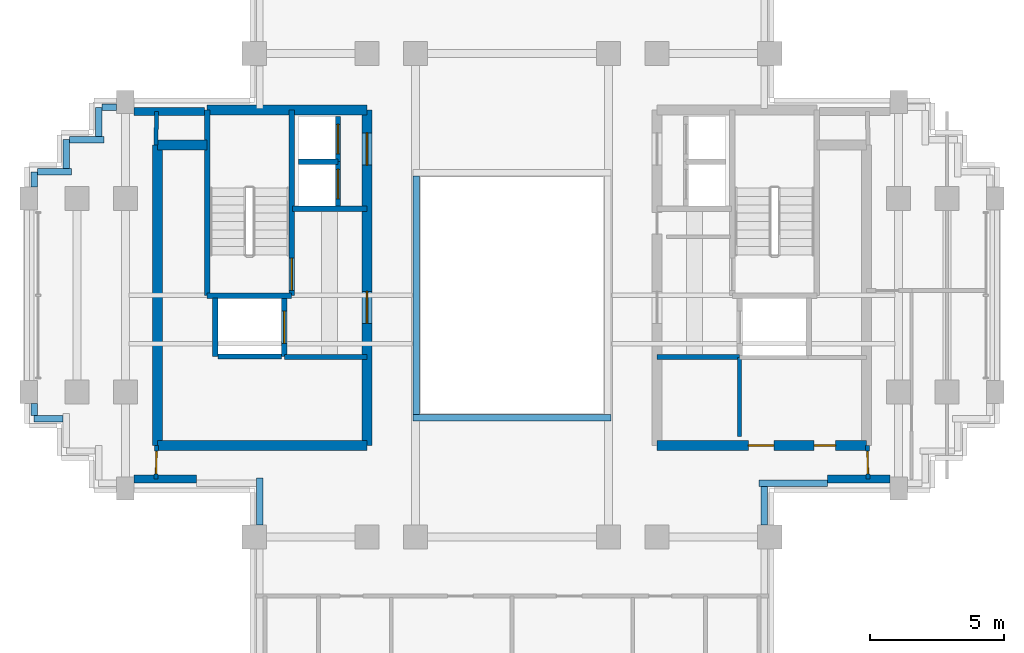
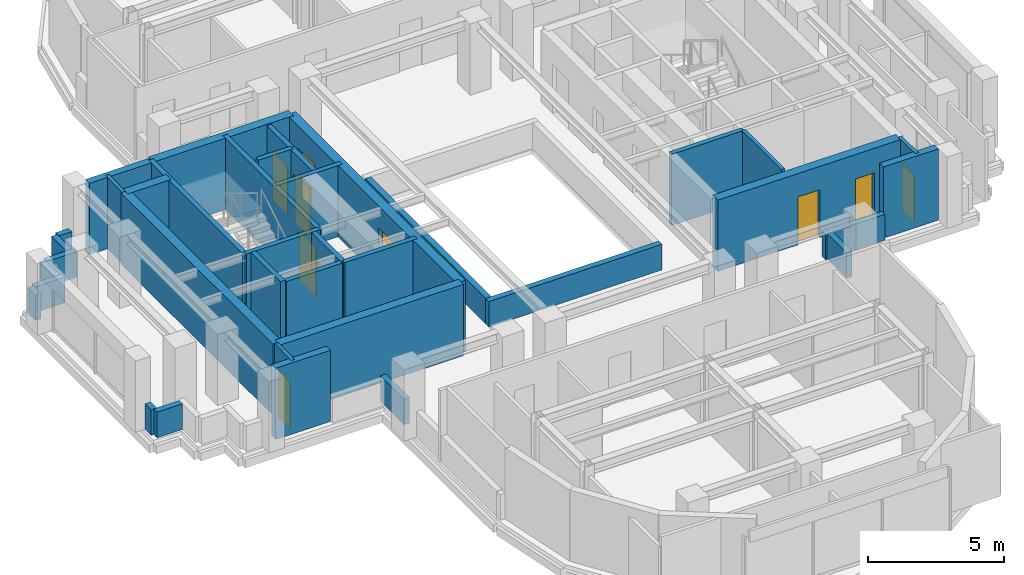
# One storey, part 6 of 11: 38 walls, 10 doors, 10 openings.
"""IFC4 building model written with IfcOpenShell, lengths in metres."""

from ifc_helpers import new_model, si_unit, direction, frame, frame_2d, origin, place, context, subcontext, project, spatial, rectangle, extrude, source, transform, mapped, material, layer, layer_set, type_object, element, fill, save


model = new_model("IFC4")

# Units and contexts
model_context = context("Model", 3, precision=1e-05, world=origin(), true_north=direction((0.0, 1.0)))
body_context = subcontext(model_context, "Body", "Model", "MODEL_VIEW")
ifc_project = project(units=[si_unit("LENGTHUNIT", "METRE"), si_unit("AREAUNIT", "SQUARE_METRE"), si_unit("VOLUMEUNIT", "CUBIC_METRE"), si_unit("PLANEANGLEUNIT", "RADIAN"), si_unit("MASSUNIT", "GRAM", prefix="KILO")], contexts=[model_context])

# Site, building, storey
site_placement = place(None, origin())
site = spatial("IfcSite", under=ifc_project, at=site_placement, CompositionType="ELEMENT")
building_placement = place(site_placement, origin())
building = spatial("IfcBuilding", under=site, at=building_placement, Name="Keilestroom Media Tower", CompositionType="ELEMENT")
storey_placement = place(building_placement, frame((0.0, 0.0, 201.199951171875)))
storey = spatial("IfcBuildingStorey", under=building, at=storey_placement, Name="L55", CompositionType="ELEMENT", Elevation=201.199951171875)

# Walls
ifc_material_1 = material(Name="Precast concrete C40/50", Category="concrete")
ifc_layer_1 = layer(ifc_material_1, 0.300048828125)
ifc_layer_set_1 = layer_set([ifc_layer_1], Name="Precast concrete C40/50")
wall_type_1 = type_object("IfcWallType", Name="Exterior-Masonry-Spandrel-Wall-300", PredefinedType="SOLIDWALL", material=ifc_layer_set_1)
wall_1_placement = place(storey_placement, frame((-14.0830078125, 6.85009765625, 0.0), z_axis=(0.0, 0.0, 1.0), x_axis=(1.0, 0.0, 0.0)))
element("IfcWall", 1, at=wall_1_placement, inside=storey, type_object=wall_type_1, Name="L55 Flank Masonry Wall EWL-L55-NW-1", PredefinedType="SOLIDWALL", context=body_context, shape_type="SweptSolid", body=[
    extrude(rectangle(XDim=2.635009765625, YDim=0.300048828125, at=frame_2d((1.3173828125, 0.0))), origin(), (0.0, 0.0, 1.0), 3.199951171875),
])
for number, where, z_axis, x_axis, name in (
    (2, (-14.0830078125, -6.85009765625, 0.0), (0.0, 0.0, 1.0), (1.0, 0.0, 0.0), "L55 Flank Masonry Wall EWL-L55-SW-1"),
    (3, (11.75, -6.85009765625, 0.0), (0.0, 0.0, 1.0), (1.0, 0.0, 0.0), "L55 Flank Masonry Wall EWL-L55-SE-1"),
):
    element("IfcWall", number, at=place(storey_placement, frame(where, z_axis=z_axis, x_axis=x_axis)), inside=storey, type_object=wall_type_1, Name=name, PredefinedType="SOLIDWALL", context=body_context, shape_type="SweptSolid", body=[
        extrude(rectangle(XDim=2.3330078125, YDim=0.300048828125, at=frame_2d((1.16650390625, 0.0))), origin(), (0.0, 0.0, 1.0), 3.199951171875),
    ])
ifc_material_2 = material(Name="Gypsum Plasterboard & Steel Stud", Category="steel")
ifc_layer_2 = layer(ifc_material_2, 0.14990234375)
ifc_layer_set_2 = layer_set([ifc_layer_2], Name="Gypsum Plasterboard & Steel Stud")
wall_type_2 = type_object("IfcWallType", Name="Interior-Partition-Wall-150", PredefinedType="PARTITIONING", material=ifc_layer_set_2)
wall_2_placement = place(storey_placement, frame((8.47998046875, -5.260009765625, 0.0), z_axis=(0.0, 0.0, 1.0), x_axis=(0.0, 1.0, 0.0)))
element("IfcWall", 4, at=wall_2_placement, inside=storey, type_object=wall_type_2, Name="L55 Interior Wall WP-L55-RECME-W", PredefinedType="PARTITIONING", context=body_context, shape_type="SweptSolid", body=[
    extrude(rectangle(XDim=2.93994140625, YDim=0.14990234375, at=frame_2d((1.469970703125, 0.0))), origin(), (0.0, 0.0, 1.0), 3.199951171875),
])
wall_3_placement = place(storey_placement, frame((-13.260009765625, 5.60009765625, 0.0), z_axis=(0.0, 0.0, 1.0), x_axis=(0.016013571389, 0.999871774545, 0.0)))
element("IfcWall", 5, at=wall_3_placement, inside=storey, type_object=wall_type_2, Name="L55 Interior Wall WP-L55-HDINE-ENTN", PredefinedType="PARTITIONING", context=body_context, shape_type="SweptSolid", body=[
    extrude(rectangle(XDim=1.250244140625, YDim=0.14990234375, at=frame_2d((0.625, 0.0))), origin(), (0.0, 0.0, 1.0), 3.199951171875),
])

# Wall, opening, door
wall_4_placement = place(storey_placement, frame((-13.260009765625, -6.85009765625, 0.0), z_axis=(0.0, 0.0, 1.0), x_axis=(0.016013571389, 0.999871774545, 0.0)))
wall_4 = element("IfcWall", 6, at=wall_4_placement, inside=storey, type_object=wall_type_2, Name="L55 Interior Wall WP-L55-HDINE-ENTS", PredefinedType="PARTITIONING", context=body_context, shape_type="SweptSolid", body=[
    extrude(rectangle(XDim=1.250244140625, YDim=0.14990234375, at=frame_2d((0.625, 0.0))), origin(), (0.0, 0.0, 1.0), 3.199951171875),
])
opening_1_placement = place(wall_4_placement, frame((0.199951171875, 0.0, 0.0)))
opening_1 = element("IfcOpeningElement", 7, at=opening_1_placement, cuts=wall_4, Name="Opening DI-05", PredefinedType="OPENING", context=body_context, shape_type="SweptSolid", body=[
    extrude(rectangle(XDim=0.85009765625, YDim=2.10009765625, at=frame_2d((0.425048828125, 1.050048828125))), frame((0.0, 0.0849609375, 0.0), z_axis=(0.0, -1.0, 0.0), x_axis=(1.0, 0.0, 0.0)), (0.0, 0.0, 1.0), 0.169921875),
])
ifc_material_3 = material(Name="Moisture-Resistant Oak Leaf", Category="wood")
door_type_1 = type_object("IfcDoorType", Name="Interior-En-Suite-And-Cupboard-Door-DI-05", OperationType="NOTDEFINED", PredefinedType="DOOR", material=ifc_material_3)
shared_shape_1 = source(origin(), body_context, "Body", "SweptSolid", [
    extrude(rectangle(XDim=0.85009765625, YDim=2.10009765625, at=frame_2d((0.425048828125, 1.050048828125))), frame((0.0, 0.02490234375, 0.0), z_axis=(0.0, -1.0, 0.0), x_axis=(1.0, 0.0, 0.0)), (0.0, 0.0, 1.0), 0.050048828125),
])
door_1_placement = place(opening_1_placement, origin())
door_1 = element("IfcDoor", 8, at=door_1_placement, inside=storey, type_object=door_type_1, Name="L55 Interior Door DI-L55-DDINE-W", OperationType="SINGLE_SWING_LEFT", OverallHeight=2.10009765625, OverallWidth=0.85009765625, PredefinedType="DOOR", context=body_context, shape_type="MappedRepresentation", body=[
    mapped(shared_shape_1, transform((0.0, 0.0, 0.0), x_axis=(1.0, 0.0, 0.0), y_axis=(0.0, 1.0, 0.0), z_axis=(0.0, 0.0, 1.0), scale=1.0)),
])
fill(opening_1, door_1)

wall_5_placement = place(storey_placement, frame((13.260009765625, -6.85009765625, 0.0), z_axis=(0.0, 0.0, 1.0), x_axis=(-0.016013571389, 0.999871774545, 0.0)))
wall_5 = element("IfcWall", 9, at=wall_5_placement, inside=storey, type_object=wall_type_2, Name="L55 Interior Wall WP-L55-HGYM-ENTS", PredefinedType="PARTITIONING", context=body_context, shape_type="SweptSolid", body=[
    extrude(rectangle(XDim=1.250244140625, YDim=0.14990234375, at=frame_2d((0.625, 0.0))), origin(), (0.0, 0.0, 1.0), 3.199951171875),
])
opening_2_placement = place(wall_5_placement, frame((0.199951171875, 0.0, 0.0)))
opening_2 = element("IfcOpeningElement", 10, at=opening_2_placement, cuts=wall_5, Name="Opening DI-05", PredefinedType="OPENING", context=body_context, shape_type="SweptSolid", body=[
    extrude(rectangle(XDim=0.85009765625, YDim=2.10009765625, at=frame_2d((0.425048828125, 1.050048828125))), frame((0.0, 0.0849609375, 0.0), z_axis=(0.0, -1.0, 0.0), x_axis=(1.0, 0.0, 0.0)), (0.0, 0.0, 1.0), 0.169921875),
])
door_2_placement = place(opening_2_placement, origin())
door_2 = element("IfcDoor", 11, at=door_2_placement, inside=storey, type_object=door_type_1, Name="L55 Interior Door DI-L55-DHGYM-ENTS", OperationType="SINGLE_SWING_RIGHT", OverallHeight=2.10009765625, OverallWidth=0.85009765625, PredefinedType="DOOR", context=body_context, shape_type="MappedRepresentation", body=[
    mapped(shared_shape_1, transform((0.0, 0.0, 0.0), x_axis=(1.0, 0.0, 0.0), y_axis=(0.0, 1.0, 0.0), z_axis=(0.0, 0.0, 1.0), scale=1.0)),
])
fill(opening_2, door_2)

# Wall
ifc_material_4 = material(Name="Concrete C55/67", Category="concrete")
ifc_layer_3 = layer(ifc_material_4, 0.3798828125)
ifc_layer_set_3 = layer_set([ifc_layer_3], Name="Concrete C55/67")
wall_type_3 = type_object("IfcWallType", Name="Reinforced-Concrete-Core-Shear-Wall-380", PredefinedType="SHEAR", material=ifc_layer_set_3)
wall_6_placement = place(storey_placement, frame((-13.199951171875, -5.60009765625, 0.0), z_axis=(0.0, 0.0, 1.0), x_axis=(0.0, 1.0, 0.0)))
element("IfcWall", 12, at=wall_6_placement, inside=storey, type_object=wall_type_3, Name="L55 Core Shear Wall WL-L55-CORE-W-OUT", PredefinedType="SHEAR", context=body_context, shape_type="SweptSolid", body=[
    extrude(rectangle(XDim=11.2001953125, YDim=0.3798828125, at=frame_2d((5.60009765625, 0.0))), origin(), (0.0, 0.0, 1.0), 3.199951171875),
])

# Wall, openings, doors
wall_7_placement = place(storey_placement, frame((-5.39990234375, -5.60009765625, 0.0), z_axis=(0.0, 0.0, 1.0), x_axis=(0.0, 1.0, 0.0)))
wall_7 = element("IfcWall", 13, at=wall_7_placement, inside=storey, type_object=wall_type_3, Name="L55 Core Shear Wall WL-L55-CORE-W-IN", PredefinedType="SHEAR", context=body_context, shape_type="SweptSolid", body=[
    extrude(rectangle(XDim=12.5, YDim=0.3798828125, at=frame_2d((6.25, 0.0))), origin(), (0.0, 0.0, 1.0), 3.199951171875),
])
opening_3_placement = place(wall_7_placement, frame((4.550048828125, 0.0, 0.0)))
opening_3 = element("IfcOpeningElement", 14, at=opening_3_placement, cuts=wall_7, Name="Opening DI-02", PredefinedType="OPENING", context=body_context, shape_type="SweptSolid", body=[
    extrude(rectangle(XDim=1.199951171875, YDim=2.199951171875, at=frame_2d((0.60009765625, 1.10009765625))), frame((0.0, 0.199951171875, 0.0), z_axis=(0.0, -1.0, 0.0), x_axis=(1.0, 0.0, 0.0)), (0.0, 0.0, 1.0), 0.39990234375),
])
opening_4_placement = place(wall_7_placement, frame((10.449951171875, 0.0, 0.0)))
opening_4 = element("IfcOpeningElement", 15, at=opening_4_placement, cuts=wall_7, Name="Opening DI-02", PredefinedType="OPENING", context=body_context, shape_type="SweptSolid", body=[
    extrude(rectangle(XDim=1.199951171875, YDim=2.199951171875, at=frame_2d((0.60009765625, 1.10009765625))), frame((0.0, 0.199951171875, 0.0), z_axis=(0.0, -1.0, 0.0), x_axis=(1.0, 0.0, 0.0)), (0.0, 0.0, 1.0), 0.39990234375),
])
ifc_material_5 = material(Name="Powder-Coated Steel Fire Leaf", Category="steel")
door_type_2 = type_object("IfcDoorType", Name="Interior-Compartment-Fire-Door-DI-02", OperationType="NOTDEFINED", PredefinedType="DOOR", material=ifc_material_5)
shared_shape_2 = source(origin(), body_context, "Body", "SweptSolid", [
    extrude(rectangle(XDim=1.199951171875, YDim=2.199951171875, at=frame_2d((0.60009765625, 1.10009765625))), frame((0.0, 0.02490234375, 0.0), z_axis=(0.0, -1.0, 0.0), x_axis=(1.0, 0.0, 0.0)), (0.0, 0.0, 1.0), 0.050048828125),
])
door_3_placement = place(opening_3_placement, origin())
door_3 = element("IfcDoor", 16, at=door_3_placement, inside=storey, type_object=door_type_2, Name="L55 W Firefighting Lobby Door", OperationType="SINGLE_SWING_RIGHT", OverallHeight=2.199951171875, OverallWidth=1.199951171875, PredefinedType="DOOR", context=body_context, shape_type="MappedRepresentation", body=[
    mapped(shared_shape_2, transform((0.0, 0.0, 0.0), x_axis=(1.0, 0.0, 0.0), y_axis=(0.0, 1.0, 0.0), z_axis=(0.0, 0.0, 1.0), scale=1.0)),
])
fill(opening_3, door_3)
door_4_placement = place(opening_4_placement, origin())
door_4 = element("IfcDoor", 17, at=door_4_placement, inside=storey, type_object=door_type_2, Name="L55 W High-Rise Lift Lobby Door", OperationType="SINGLE_SWING_LEFT", OverallHeight=2.199951171875, OverallWidth=1.199951171875, PredefinedType="DOOR", context=body_context, shape_type="MappedRepresentation", body=[
    mapped(shared_shape_2, transform((0.0, 0.0, 0.0), x_axis=(1.0, 0.0, 0.0), y_axis=(0.0, 1.0, 0.0), z_axis=(0.0, 0.0, 1.0), scale=1.0)),
])
fill(opening_4, door_4)

# Walls
wall_8_placement = place(storey_placement, frame((-11.35595703125, 6.89990234375, 0.0), z_axis=(0.0, 0.0, 1.0), x_axis=(1.0, 0.0, 0.0)))
element("IfcWall", 18, at=wall_8_placement, inside=storey, type_object=wall_type_3, Name="L55 Core Shear Wall WL-L55-CORE-W-N", PredefinedType="SHEAR", context=body_context, shape_type="SweptSolid", body=[
    extrude(rectangle(XDim=5.9560546875, YDim=0.3798828125, at=frame_2d((2.97802734375, 0.0))), origin(), (0.0, 0.0, 1.0), 3.199951171875),
])
wall_9_placement = place(storey_placement, frame((-13.199951171875, 5.60009765625, 0.0), z_axis=(0.0, 0.0, 1.0), x_axis=(1.0, 0.0, 0.0)))
element("IfcWall", 19, at=wall_9_placement, inside=storey, type_object=wall_type_3, Name="L55 Core Shear Wall WL-L55-CNW-N", PredefinedType="SHEAR", context=body_context, shape_type="SweptSolid", body=[
    extrude(rectangle(XDim=1.843994140625, YDim=0.3798828125, at=frame_2d((0.921875, 0.0))), origin(), (0.0, 0.0, 1.0), 3.199951171875),
])
wall_10_placement = place(storey_placement, frame((-13.199951171875, -5.60009765625, 0.0), z_axis=(0.0, 0.0, 1.0), x_axis=(1.0, 0.0, 0.0)))
element("IfcWall", 20, at=wall_10_placement, inside=storey, type_object=wall_type_3, Name="L55 Core Shear Wall WL-L55-CORE-W-S", PredefinedType="SHEAR", context=body_context, shape_type="SweptSolid", body=[
    extrude(rectangle(XDim=7.800048828125, YDim=0.3798828125, at=frame_2d((3.89990234375, 0.0))), origin(), (0.0, 0.0, 1.0), 3.199951171875),
])

# Wall, openings, doors
wall_11_placement = place(storey_placement, frame((5.39990234375, -5.60009765625, 0.0), z_axis=(0.0, 0.0, 1.0), x_axis=(1.0, 0.0, 0.0)))
wall_11 = element("IfcWall", 21, at=wall_11_placement, inside=storey, type_object=wall_type_3, Name="L55 Core Shear Wall WL-L55-CORE-E-S", PredefinedType="SHEAR", context=body_context, shape_type="SweptSolid", body=[
    extrude(rectangle(XDim=7.800048828125, YDim=0.3798828125, at=frame_2d((3.89990234375, 0.0))), origin(), (0.0, 0.0, 1.0), 3.199951171875),
])
opening_5_placement = place(wall_11_placement, frame((5.85009765625, 0.0, 0.0)))
opening_5 = element("IfcOpeningElement", 22, at=opening_5_placement, cuts=wall_11, Name="Opening DI-06", PredefinedType="OPENING", context=body_context, shape_type="SweptSolid", body=[
    extrude(rectangle(XDim=0.800048828125, YDim=2.10009765625, at=frame_2d((0.39990234375, 1.050048828125))), frame((0.0, 0.199951171875, 0.0), z_axis=(0.0, -1.0, 0.0), x_axis=(1.0, 0.0, 0.0)), (0.0, 0.0, 1.0), 0.39990234375),
])
opening_6_placement = place(wall_11_placement, frame((3.39990234375, 0.0, 0.0)))
opening_6 = element("IfcOpeningElement", 23, at=opening_6_placement, cuts=wall_11, Name="Opening DI-03", PredefinedType="OPENING", context=body_context, shape_type="SweptSolid", body=[
    extrude(rectangle(XDim=0.949951171875, YDim=2.14990234375, at=frame_2d((0.47509765625, 1.074951171875))), frame((0.0, 0.199951171875, 0.0), z_axis=(0.0, -1.0, 0.0), x_axis=(1.0, 0.0, 0.0)), (0.0, 0.0, 1.0), 0.39990234375),
])
ifc_material_6 = material(Name="Powder-Coated Steel Service Leaf", Category="steel")
door_type_3 = type_object("IfcDoorType", Name="Interior-Riser-Access-Door-DI-06", OperationType="NOTDEFINED", PredefinedType="DOOR", material=ifc_material_6)
shared_shape_3 = source(origin(), body_context, "Body", "SweptSolid", [
    extrude(rectangle(XDim=0.800048828125, YDim=2.10009765625, at=frame_2d((0.39990234375, 1.050048828125))), frame((0.0, 0.02490234375, 0.0), z_axis=(0.0, -1.0, 0.0), x_axis=(1.0, 0.0, 0.0)), (0.0, 0.0, 1.0), 0.050048828125),
])
door_5_placement = place(opening_5_placement, origin())
door_5 = element("IfcDoor", 24, at=door_5_placement, inside=storey, type_object=door_type_3, Name="L55 Reclaimed East Core Room Door", OperationType="SINGLE_SWING_RIGHT", OverallHeight=2.10009765625, OverallWidth=0.800048828125, PredefinedType="DOOR", context=body_context, shape_type="MappedRepresentation", body=[
    mapped(shared_shape_3, transform((0.0, 0.0, 0.0), x_axis=(1.0, 0.0, 0.0), y_axis=(0.0, 1.0, 0.0), z_axis=(0.0, 0.0, 1.0), scale=1.0)),
])
fill(opening_5, door_5)
ifc_material_7 = material(Name="Lacquered European Oak Leaf", Category="wood")
door_type_4 = type_object("IfcDoorType", Name="Interior-Room-And-Suite-Door-DI-03", OperationType="NOTDEFINED", PredefinedType="DOOR", material=ifc_material_7)
shared_shape_4 = source(origin(), body_context, "Body", "SweptSolid", [
    extrude(rectangle(XDim=0.949951171875, YDim=2.14990234375, at=frame_2d((0.47509765625, 1.074951171875))), frame((0.0, 0.02490234375, 0.0), z_axis=(0.0, -1.0, 0.0), x_axis=(1.0, 0.0, 0.0)), (0.0, 0.0, 1.0), 0.050048828125),
])
door_6_placement = place(opening_6_placement, origin())
door_6 = element("IfcDoor", 25, at=door_6_placement, inside=storey, type_object=door_type_4, Name="L55 Reclaimed Mid East Room Door", OperationType="SINGLE_SWING_RIGHT", OverallHeight=2.14990234375, OverallWidth=0.949951171875, PredefinedType="DOOR", context=body_context, shape_type="MappedRepresentation", body=[
    mapped(shared_shape_4, transform((0.0, 0.0, 0.0), x_axis=(1.0, 0.0, 0.0), y_axis=(0.0, 1.0, 0.0), z_axis=(0.0, 0.0, 1.0), scale=1.0)),
])
fill(opening_6, door_6)

# Walls
ifc_material_8 = material(Name="Concrete C50/60", Category="concrete")
ifc_layer_4 = layer(ifc_material_8, 0.199951171875)
ifc_layer_set_4 = layer_set([ifc_layer_4], Name="Concrete C50/60")
wall_type_4 = type_object("IfcWallType", Name="Reinforced-Concrete-Shaft-Wall-200", PredefinedType="SOLIDWALL", material=ifc_layer_set_4)
wall_12_placement = place(storey_placement, frame((-8.179931640625, 3.219970703125, 0.0), z_axis=(0.0, 0.0, 1.0), x_axis=(1.0, 0.0, 0.0)))
element("IfcWall", 26, at=wall_12_placement, inside=storey, type_object=wall_type_4, Name="L55 Core Shear Wall WL-L55-CORE-W-FFN", PredefinedType="SOLIDWALL", context=body_context, shape_type="SweptSolid", body=[
    extrude(rectangle(XDim=2.780029296875, YDim=0.199951171875, at=frame_2d((1.39013671875, 0.0))), origin(), (0.0, 0.0, 1.0), 3.199951171875),
])
wall_13_placement = place(storey_placement, frame((-8.47998046875, -2.300048828125, 0.0), z_axis=(0.0, 0.0, 1.0), x_axis=(1.0, 0.0, 0.0)))
element("IfcWall", 27, at=wall_13_placement, inside=storey, type_object=wall_type_4, Name="L55 Core Shear Wall WL-L55-CORE-W-FFS", PredefinedType="SOLIDWALL", context=body_context, shape_type="SweptSolid", body=[
    extrude(rectangle(XDim=3.080078125, YDim=0.199951171875, at=frame_2d((1.5400390625, 0.0))), origin(), (0.0, 0.0, 1.0), 3.199951171875),
])

# Wall, opening, door
wall_14_placement = place(storey_placement, frame((-8.2041015625, -0.01611328125, 0.0), z_axis=(0.0, 0.0, 1.0), x_axis=(0.0, 1.0, 0.0)))
wall_14 = element("IfcWall", 28, at=wall_14_placement, inside=storey, type_object=wall_type_4, Name="L55 Core Shear Wall WL-L55-STW-W-NEAR", PredefinedType="SOLIDWALL", context=body_context, shape_type="SweptSolid", body=[
    extrude(rectangle(XDim=6.916015625, YDim=0.199951171875, at=frame_2d((3.4580078125, 0.0))), origin(), (0.0, 0.0, 1.0), 3.199951171875),
])
opening_7_placement = place(wall_14_placement, frame((0.199951171875, 0.0, 0.0)))
opening_7 = element("IfcOpeningElement", 29, at=opening_7_placement, cuts=wall_14, Name="Opening DI-01S", PredefinedType="OPENING", context=body_context, shape_type="SweptSolid", body=[
    extrude(rectangle(XDim=1.199951171875, YDim=2.199951171875, at=frame_2d((0.60009765625, 1.10009765625))), frame((0.0, 0.10986328125, 0.0), z_axis=(0.0, -1.0, 0.0), x_axis=(1.0, 0.0, 0.0)), (0.0, 0.0, 1.0), 0.219970703125),
])
door_type_5 = type_object("IfcDoorType", Name="Interior-Stair-And-Core-Fire-Door-DI-01", OperationType="NOTDEFINED", PredefinedType="DOOR", material=ifc_material_5)
door_7_placement = place(opening_7_placement, origin())
door_7 = element("IfcDoor", 30, at=door_7_placement, inside=storey, type_object=door_type_5, Name="L55 Escape Stair ST-1 Fire Door", OperationType="SINGLE_SWING_LEFT", OverallHeight=2.199951171875, OverallWidth=1.199951171875, PredefinedType="DOOR", context=body_context, shape_type="MappedRepresentation", body=[
    mapped(shared_shape_2, transform((0.0, 0.0, 0.0), x_axis=(1.0, 0.0, 0.0), y_axis=(0.0, 1.0, 0.0), z_axis=(0.0, 0.0, 1.0), scale=1.0)),
])
fill(opening_7, door_7)

# Walls
wall_15_placement = place(storey_placement, frame((-11.35595703125, -0.01611328125, 0.0), z_axis=(0.0, 0.0, 1.0), x_axis=(0.0, 1.0, 0.0)))
element("IfcWall", 31, at=wall_15_placement, inside=storey, type_object=wall_type_4, Name="L55 Core Shear Wall WL-L55-STW-W-FAR", PredefinedType="SOLIDWALL", context=body_context, shape_type="SweptSolid", body=[
    extrude(rectangle(XDim=6.916015625, YDim=0.199951171875, at=frame_2d((3.4580078125, 0.0))), origin(), (0.0, 0.0, 1.0), 3.199951171875),
])
wall_16_placement = place(storey_placement, frame((-11.35595703125, -0.01611328125, 0.0), z_axis=(0.0, 0.0, 1.0), x_axis=(1.0, 0.0, 0.0)))
element("IfcWall", 32, at=wall_16_placement, inside=storey, type_object=wall_type_4, Name="L55 Core Shear Wall WL-L55-STW-W-S", PredefinedType="SOLIDWALL", context=body_context, shape_type="SweptSolid", body=[
    extrude(rectangle(XDim=3.15185546875, YDim=0.199951171875, at=frame_2d((1.575927734375, 0.0))), origin(), (0.0, 0.0, 1.0), 3.199951171875),
])
wall_17_placement = place(storey_placement, frame((5.39990234375, -2.300048828125, 0.0), z_axis=(0.0, 0.0, 1.0), x_axis=(1.0, 0.0, 0.0)))
element("IfcWall", 33, at=wall_17_placement, inside=storey, type_object=wall_type_4, Name="L55 Core Shear Wall WL-L55-CORE-E-FFS", PredefinedType="SOLIDWALL", context=body_context, shape_type="SweptSolid", body=[
    extrude(rectangle(XDim=3.080078125, YDim=0.199951171875, at=frame_2d((1.5400390625, 0.0))), origin(), (0.0, 0.0, 1.0), 3.199951171875),
])
wall_18_placement = place(storey_placement, frame((-11.050048828125, -2.280029296875, 0.0), z_axis=(0.0, 0.0, 1.0), x_axis=(0.0, 1.0, 0.0)))
element("IfcWall", 34, at=wall_18_placement, inside=storey, type_object=wall_type_4, Name="L55 Core Shear Wall WL-L55-LSH-FFL-1-W", PredefinedType="SOLIDWALL", context=body_context, shape_type="SweptSolid", body=[
    extrude(rectangle(XDim=2.179931640625, YDim=0.199951171875, at=frame_2d((1.08984375, 0.0))), origin(), (0.0, 0.0, 1.0), 3.199951171875),
])

# Wall, opening, door
wall_19_placement = place(storey_placement, frame((-8.47998046875, -2.280029296875, 0.0), z_axis=(0.0, 0.0, 1.0), x_axis=(0.0, 1.0, 0.0)))
wall_19 = element("IfcWall", 35, at=wall_19_placement, inside=storey, type_object=wall_type_4, Name="L55 Core Shear Wall WL-L55-LSH-FFL-1-E", PredefinedType="SOLIDWALL", context=body_context, shape_type="SweptSolid", body=[
    extrude(rectangle(XDim=2.179931640625, YDim=0.199951171875, at=frame_2d((1.08984375, 0.0))), origin(), (0.0, 0.0, 1.0), 3.199951171875),
])
opening_8_placement = place(wall_19_placement, frame((0.489990234375, 0.0, 0.0)))
opening_8 = element("IfcOpeningElement", 36, at=opening_8_placement, cuts=wall_19, Name="Opening LD-02", PredefinedType="OPENING", context=body_context, shape_type="SweptSolid", body=[
    extrude(rectangle(XDim=1.199951171875, YDim=2.199951171875, at=frame_2d((0.60009765625, 1.10009765625))), frame((0.0, 0.10986328125, 0.0), z_axis=(0.0, -1.0, 0.0), x_axis=(1.0, 0.0, 0.0)), (0.0, 0.0, 1.0), 0.219970703125),
])
ifc_material_9 = material(Name="Brushed Stainless Steel Sliding Leaf", Category="steel")
door_type_6 = type_object("IfcDoorType", Name="Lift-Landing-Sliding-Door-LD-02", OperationType="SLIDING_TO_RIGHT", PredefinedType="DOOR", material=ifc_material_9)
door_8_placement = place(opening_8_placement, origin())
door_8 = element("IfcDoor", 37, at=door_8_placement, inside=storey, type_object=door_type_6, Name="L55 Lift FFL-1 Landing Sliding Door", OperationType="SLIDING_TO_RIGHT", OverallHeight=2.199951171875, OverallWidth=1.199951171875, PredefinedType="DOOR", context=body_context, shape_type="MappedRepresentation", body=[
    mapped(shared_shape_2, transform((0.0, 0.0, 0.0), x_axis=(1.0, 0.0, 0.0), y_axis=(0.0, 1.0, 0.0), z_axis=(0.0, 0.0, 1.0), scale=1.0)),
])
fill(opening_8, door_8)

# Wall
wall_20_placement = place(storey_placement, frame((-10.946044921875, -2.280029296875, 0.0), z_axis=(0.0, 0.0, 1.0), x_axis=(1.0, 0.0, 0.0)))
element("IfcWall", 38, at=wall_20_placement, inside=storey, type_object=wall_type_4, Name="L55 Core Shear Wall WL-L55-LSH-FFL-1-S", PredefinedType="SOLIDWALL", context=body_context, shape_type="SweptSolid", body=[
    extrude(rectangle(XDim=2.362060546875, YDim=0.199951171875, at=frame_2d((1.18115234375, 0.0))), origin(), (0.0, 0.0, 1.0), 3.199951171875),
])

# Wall, opening, door
wall_21_placement = place(storey_placement, frame((-6.47998046875, 3.300048828125, 0.0), z_axis=(0.0, 0.0, 1.0), x_axis=(0.0, 1.0, 0.0)))
wall_21 = element("IfcWall", 39, at=wall_21_placement, inside=storey, type_object=wall_type_4, Name="L55 Core Shear Wall WL-L55-LSH-PL-H1-E", PredefinedType="SOLIDWALL", context=body_context, shape_type="SweptSolid", body=[
    extrude(rectangle(XDim=1.679931640625, YDim=0.199951171875, at=frame_2d((0.83984375, 0.0))), origin(), (0.0, 0.0, 1.0), 3.199951171875),
])
opening_9_placement = place(wall_21_placement, frame((0.2900390625, 0.0, 0.0)))
opening_9 = element("IfcOpeningElement", 40, at=opening_9_placement, cuts=wall_21, Name="Opening LD-01", PredefinedType="OPENING", context=body_context, shape_type="SweptSolid", body=[
    extrude(rectangle(XDim=1.10009765625, YDim=2.199951171875, at=frame_2d((0.550048828125, 1.10009765625))), frame((0.0, 0.10986328125, 0.0), z_axis=(0.0, -1.0, 0.0), x_axis=(1.0, 0.0, 0.0)), (0.0, 0.0, 1.0), 0.219970703125),
])
door_type_7 = type_object("IfcDoorType", Name="Lift-Landing-Sliding-Door-LD-01", OperationType="SLIDING_TO_LEFT", PredefinedType="DOOR", material=ifc_material_9)
shared_shape_5 = source(origin(), body_context, "Body", "SweptSolid", [
    extrude(rectangle(XDim=1.10009765625, YDim=2.199951171875, at=frame_2d((0.550048828125, 1.10009765625))), frame((0.0, 0.02490234375, 0.0), z_axis=(0.0, -1.0, 0.0), x_axis=(1.0, 0.0, 0.0)), (0.0, 0.0, 1.0), 0.050048828125),
])
door_9_placement = place(opening_9_placement, origin())
door_9 = element("IfcDoor", 41, at=door_9_placement, inside=storey, type_object=door_type_7, Name="L55 Lift PL-H1 Landing Sliding Door", OperationType="SLIDING_TO_LEFT", OverallHeight=2.199951171875, OverallWidth=1.10009765625, PredefinedType="DOOR", context=body_context, shape_type="MappedRepresentation", body=[
    mapped(shared_shape_5, transform((0.0, 0.0, 0.0), x_axis=(1.0, 0.0, 0.0), y_axis=(0.0, 1.0, 0.0), z_axis=(0.0, 0.0, 1.0), scale=1.0)),
])
fill(opening_9, door_9)

# Wall
wall_22_placement = place(storey_placement, frame((-7.949951171875, 4.97998046875, 0.0), z_axis=(0.0, 0.0, 1.0), x_axis=(1.0, 0.0, 0.0)))
element("IfcWall", 42, at=wall_22_placement, inside=storey, type_object=wall_type_4, Name="L55 Core Shear Wall WL-L55-LSH-PL-H1-N", PredefinedType="SOLIDWALL", context=body_context, shape_type="SweptSolid", body=[
    extrude(rectangle(XDim=1.469970703125, YDim=0.199951171875, at=frame_2d((0.73486328125, 0.0))), origin(), (0.0, 0.0, 1.0), 3.199951171875),
])

# Wall, opening, door
wall_23_placement = place(storey_placement, frame((-6.47998046875, 4.97998046875, 0.0), z_axis=(0.0, 0.0, 1.0), x_axis=(0.0, 1.0, 0.0)))
wall_23 = element("IfcWall", 43, at=wall_23_placement, inside=storey, type_object=wall_type_4, Name="L55 Core Shear Wall WL-L55-LSH-PL-H2-E", PredefinedType="SOLIDWALL", context=body_context, shape_type="SweptSolid", body=[
    extrude(rectangle(XDim=1.669921875, YDim=0.199951171875, at=frame_2d((0.8349609375, 0.0))), origin(), (0.0, 0.0, 1.0), 3.199951171875),
])
opening_10_placement = place(wall_23_placement, frame((0.284912109375, 0.0, 0.0)))
opening_10 = element("IfcOpeningElement", 44, at=opening_10_placement, cuts=wall_23, Name="Opening LD-01", PredefinedType="OPENING", context=body_context, shape_type="SweptSolid", body=[
    extrude(rectangle(XDim=1.10009765625, YDim=2.199951171875, at=frame_2d((0.550048828125, 1.10009765625))), frame((0.0, 0.10986328125, 0.0), z_axis=(0.0, -1.0, 0.0), x_axis=(1.0, 0.0, 0.0)), (0.0, 0.0, 1.0), 0.219970703125),
])
door_10_placement = place(opening_10_placement, origin())
door_10 = element("IfcDoor", 45, at=door_10_placement, inside=storey, type_object=door_type_7, Name="L55 Lift PL-H2 Landing Sliding Door", OperationType="SLIDING_TO_LEFT", OverallHeight=2.199951171875, OverallWidth=1.10009765625, PredefinedType="DOOR", context=body_context, shape_type="MappedRepresentation", body=[
    mapped(shared_shape_5, transform((0.0, 0.0, 0.0), x_axis=(1.0, 0.0, 0.0), y_axis=(0.0, 1.0, 0.0), z_axis=(0.0, 0.0, 1.0), scale=1.0)),
])
fill(opening_10, door_10)

# Walls
ifc_layer_5 = layer(ifc_material_1, 0.239990234375)
ifc_layer_set_5 = layer_set([ifc_layer_5], Name="Precast concrete C40/50")
wall_type_5 = type_object("IfcWallType", Name="Roof-And-Terrace-Parapet-Wall-240", PredefinedType="PARAPET", material=ifc_layer_set_5)
wall_24_placement = place(storey_placement, frame((11.7470703125, -7.0, 0.0), z_axis=(0.0, 0.0, 1.0), x_axis=(-1.0, 0.0, 0.0)))
element("IfcWall", 46, at=wall_24_placement, inside=storey, type_object=wall_type_5, Name="L55 Perimeter Edge Parapet Wall 07", PredefinedType="PARAPET", context=body_context, shape_type="SweptSolid", body=[
    extrude(rectangle(XDim=2.547119140625, YDim=0.239990234375, at=frame_2d((1.2734375, 0.0))), origin(), (0.0, 0.0, 1.0), 1.150146484375),
])
wall_25_placement = place(storey_placement, frame((9.39990234375, -7.123046875, 0.0), z_axis=(0.0, 0.0, 1.0), x_axis=(0.0, -1.0, 0.0)))
element("IfcWall", 47, at=wall_25_placement, inside=storey, type_object=wall_type_5, Name="L55 Perimeter Edge Parapet Wall 08", PredefinedType="PARAPET", context=body_context, shape_type="SweptSolid", body=[
    extrude(rectangle(XDim=1.424072265625, YDim=0.239990234375, at=frame_2d((0.7119140625, 0.0))), origin(), (0.0, 0.0, 1.0), 1.150146484375),
])
wall_26_placement = place(storey_placement, frame((-9.39990234375, -8.547119140625, 0.0), z_axis=(0.0, 0.0, 1.0), x_axis=(0.0, 1.0, 0.0)))
element("IfcWall", 48, at=wall_26_placement, inside=storey, type_object=wall_type_5, Name="L55 Perimeter Edge Parapet Wall 14", PredefinedType="PARAPET", context=body_context, shape_type="SweptSolid", body=[
    extrude(rectangle(XDim=1.7470703125, YDim=0.239990234375, at=frame_2d((0.87353515625, 0.0))), origin(), (0.0, 0.0, 1.0), 1.150146484375),
])
wall_27_placement = place(storey_placement, frame((-16.722900390625, -4.60009765625, 0.0), z_axis=(0.0, 0.0, 1.0), x_axis=(-1.0, 0.0, 0.0)))
element("IfcWall", 49, at=wall_27_placement, inside=storey, type_object=wall_type_5, Name="L55 Perimeter Edge Parapet Wall 20", PredefinedType="PARAPET", context=body_context, shape_type="SweptSolid", body=[
    extrude(rectangle(XDim=1.0771484375, YDim=0.239990234375, at=frame_2d((0.53857421875, 0.0))), origin(), (0.0, 0.0, 1.0), 1.150146484375),
])
wall_28_placement = place(storey_placement, frame((-17.800048828125, -4.47705078125, 0.0), z_axis=(0.0, 0.0, 1.0), x_axis=(0.0, 1.0, 0.0)))
element("IfcWall", 50, at=wall_28_placement, inside=storey, type_object=wall_type_5, Name="L55 Perimeter Edge Parapet Wall 21", PredefinedType="PARAPET", context=body_context, shape_type="SweptSolid", body=[
    extrude(rectangle(XDim=0.448974609375, YDim=0.239990234375, at=frame_2d((0.224609375, 0.0))), origin(), (0.0, 0.0, 1.0), 1.150146484375),
])
wall_29_placement = place(storey_placement, frame((-17.800048828125, 4.028076171875, 0.0), z_axis=(0.0, 0.0, 1.0), x_axis=(0.0, 1.0, 0.0)))
element("IfcWall", 51, at=wall_29_placement, inside=storey, type_object=wall_type_5, Name="L55 Perimeter Edge Parapet Wall 22", PredefinedType="PARAPET", context=body_context, shape_type="SweptSolid", body=[
    extrude(rectangle(XDim=0.572021484375, YDim=0.239990234375, at=frame_2d((0.2861328125, 0.0))), origin(), (0.0, 0.0, 1.0), 1.150146484375),
])
wall_30_placement = place(storey_placement, frame((-17.677001953125, 4.60009765625, 0.0), z_axis=(0.0, 0.0, 1.0), x_axis=(1.0, 0.0, 0.0)))
element("IfcWall", 52, at=wall_30_placement, inside=storey, type_object=wall_type_5, Name="L55 Perimeter Edge Parapet Wall 23", PredefinedType="PARAPET", context=body_context, shape_type="SweptSolid", body=[
    extrude(rectangle(XDim=1.277099609375, YDim=0.239990234375, at=frame_2d((0.638671875, 0.0))), origin(), (0.0, 0.0, 1.0), 1.150146484375),
])
wall_31_placement = place(storey_placement, frame((-16.60009765625, 4.722900390625, 0.0), z_axis=(0.0, 0.0, 1.0), x_axis=(0.0, 1.0, 0.0)))
element("IfcWall", 53, at=wall_31_placement, inside=storey, type_object=wall_type_5, Name="L55 Perimeter Edge Parapet Wall 24", PredefinedType="PARAPET", context=body_context, shape_type="SweptSolid", body=[
    extrude(rectangle(XDim=1.0771484375, YDim=0.239990234375, at=frame_2d((0.53857421875, 0.0))), origin(), (0.0, 0.0, 1.0), 1.150146484375),
])
wall_32_placement = place(storey_placement, frame((-16.47705078125, 5.800048828125, 0.0), z_axis=(0.0, 0.0, 1.0), x_axis=(1.0, 0.0, 0.0)))
element("IfcWall", 54, at=wall_32_placement, inside=storey, type_object=wall_type_5, Name="L55 Perimeter Edge Parapet Wall 25", PredefinedType="PARAPET", context=body_context, shape_type="SweptSolid", body=[
    extrude(rectangle(XDim=1.277099609375, YDim=0.239990234375, at=frame_2d((0.638671875, 0.0))), origin(), (0.0, 0.0, 1.0), 1.150146484375),
])
wall_33_placement = place(storey_placement, frame((-15.39990234375, 5.923095703125, 0.0), z_axis=(0.0, 0.0, 1.0), x_axis=(0.0, 1.0, 0.0)))
element("IfcWall", 55, at=wall_33_placement, inside=storey, type_object=wall_type_5, Name="L55 Perimeter Edge Parapet Wall 26", PredefinedType="PARAPET", context=body_context, shape_type="SweptSolid", body=[
    extrude(rectangle(XDim=1.076904296875, YDim=0.239990234375, at=frame_2d((0.53857421875, 0.0))), origin(), (0.0, 0.0, 1.0), 1.150146484375),
])
wall_34_placement = place(storey_placement, frame((-15.277099609375, 7.0, 0.0), z_axis=(0.0, 0.0, 1.0), x_axis=(1.0, 0.0, 0.0)))
element("IfcWall", 56, at=wall_34_placement, inside=storey, type_object=wall_type_5, Name="L55 Perimeter Edge Parapet Wall 27", PredefinedType="PARAPET", context=body_context, shape_type="SweptSolid", body=[
    extrude(rectangle(XDim=0.549072265625, YDim=0.239990234375, at=frame_2d((0.2744140625, 0.0))), origin(), (0.0, 0.0, 1.0), 1.150146484375),
])
wall_35_placement = place(storey_placement, frame((-3.679931640625, -4.56005859375, 0.0), z_axis=(0.0, 0.0, 1.0), x_axis=(1.0, 0.0, 0.0)))
element("IfcWall", 57, at=wall_35_placement, inside=storey, type_object=wall_type_5, Name="L55 Central Atrium Guard Parapet S", PredefinedType="PARAPET", context=body_context, shape_type="SweptSolid", body=[
    extrude(rectangle(XDim=7.35986328125, YDim=0.239990234375, at=frame_2d((3.679931640625, 0.0))), origin(), (0.0, 0.0, 1.0), 1.150146484375),
])
wall_36_placement = place(storey_placement, frame((-3.56005859375, -4.43505859375, 0.0), z_axis=(0.0, 0.0, 1.0), x_axis=(0.0, 1.0, 0.0)))
element("IfcWall", 58, at=wall_36_placement, inside=storey, type_object=wall_type_5, Name="L55 Central Atrium Guard Parapet W", PredefinedType="PARAPET", context=body_context, shape_type="SweptSolid", body=[
    extrude(rectangle(XDim=8.8701171875, YDim=0.239990234375, at=frame_2d((4.43505859375, 0.0))), origin(), (0.0, 0.0, 1.0), 1.150146484375),
])

save(model, "model.ifc")
